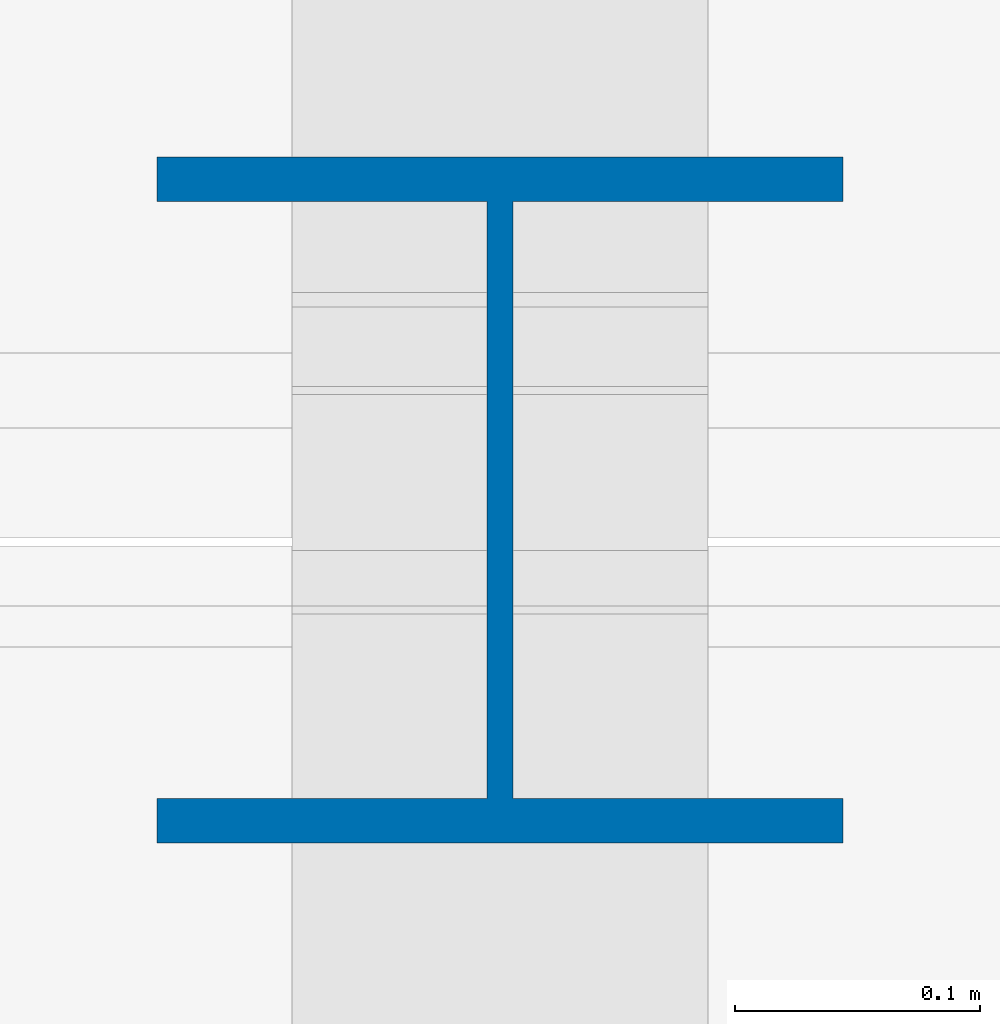
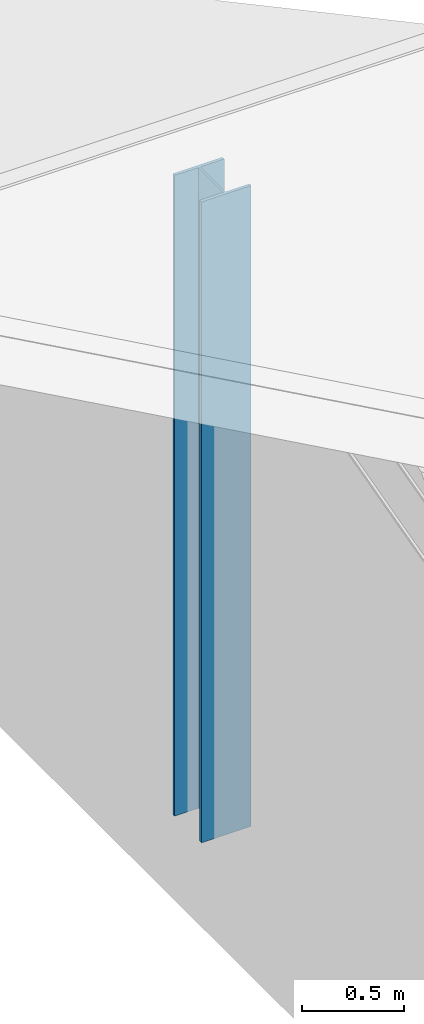
# One storey, part 7 of 157: 1 column.
"""IFC4 building model written with IfcOpenShell, lengths in metres."""

from ifc_helpers import new_model, si_unit, direction, frame, origin, origin_2d, place, context, subcontext, project, spatial, i_section, extrude, material, material_profile, profile_set, type_object, element, save


model = new_model("IFC4")

# Units and contexts
model_context = context("Model", 3, precision=1e-05, world=origin(), true_north=direction((0.0, 1.0)))
body_context = subcontext(model_context, "Body", "Model", "MODEL_VIEW")
ifc_project = project(units=[si_unit("LENGTHUNIT", "METRE"), si_unit("AREAUNIT", "SQUARE_METRE"), si_unit("VOLUMEUNIT", "CUBIC_METRE"), si_unit("PLANEANGLEUNIT", "RADIAN"), si_unit("MASSUNIT", "GRAM", prefix="KILO")], contexts=[model_context])

# Site, building, storey
site_placement = place(None, origin())
site = spatial("IfcSite", under=ifc_project, at=site_placement, CompositionType="ELEMENT")
building_placement = place(site_placement, origin())
building = spatial("IfcBuilding", under=site, at=building_placement, Name="Suanplinth Sawtooth Commons", CompositionType="ELEMENT")
storey_placement = place(building_placement, frame((0.0, 0.0, 9.0)))
storey = spatial("IfcBuildingStorey", under=building, at=storey_placement, Name="L02", CompositionType="ELEMENT", Elevation=9.0)

# Column
ifc_material = material(Name="Steel S355JR", Category="steel")
ifc_material_profile = material_profile(ifc_material, i_section(OverallWidth=0.280029296875, OverallDepth=0.280029296875, WebThickness=0.010498046875, FlangeThickness=0.01806640625, at=origin_2d()), Name="HEB 280")
ifc_profile_set = profile_set([ifc_material_profile], Name="Steel S355JR")
column_type = type_object("IfcColumnType", Name="C-11", PredefinedType="COLUMN", material=ifc_profile_set)
column_placement = place(storey_placement, frame((57.60009765625, 64.800048828125, 0.0), z_axis=(0.0, 0.0, 1.0), x_axis=(1.0, 0.0, 0.0)))
element("IfcColumn", 1, at=column_placement, inside=storey, type_object=column_type, Name="Market Ridge Post 9", PredefinedType="COLUMN", context=body_context, shape_type="SweptSolid", body=[
    extrude(i_section(OverallWidth=0.280029296875, OverallDepth=0.280029296875, WebThickness=0.010498046875, FlangeThickness=0.01806640625, at=origin_2d()), origin(), (0.0, 0.0, 1.0), 3.820068359375),
])

save(model, "model.ifc")
